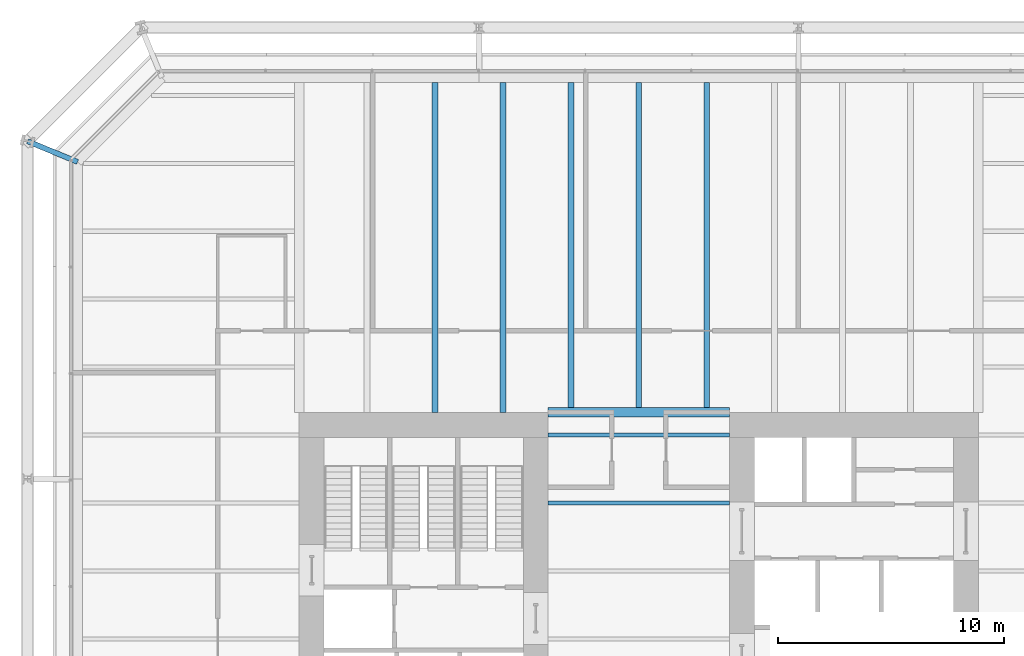
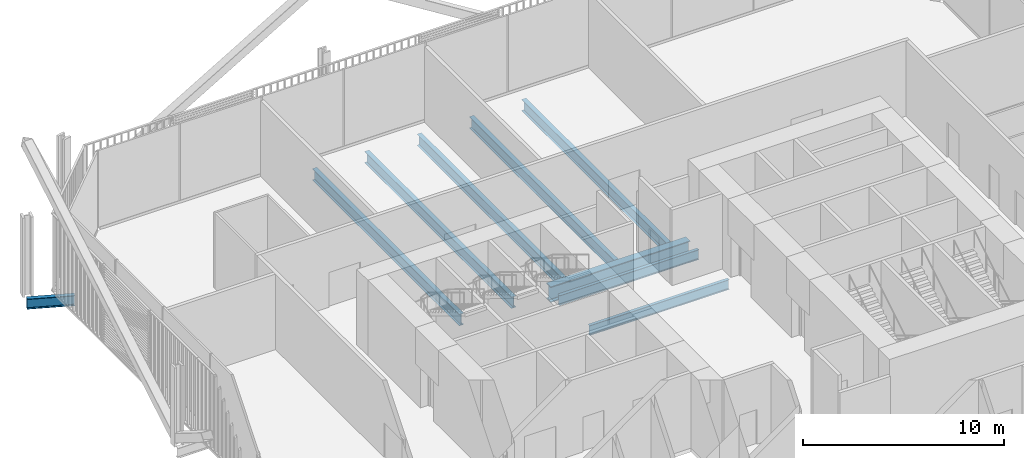
# One storey, part 13 of 22: 9 beams.
"""IFC4 building model written with IfcOpenShell, lengths in metres."""

import ifcopenshell
import ifcopenshell.guid

model = None  # the IFC model being written
_history = None  # IfcOwnerHistory: only IFC2X3 demands one
_inside = {}  # id of a spatial element -> (the spatial element, [elements in it])
_under = {}  # id of a project, library or spatial element -> (it, [spatial elements below it])
_declared = {}  # id of a project -> (the project, [libraries it declares])
_typed = {}  # id of a type object -> (the type object, [elements of that type])
_made_of = {}  # id of a material, layer set ... -> (it, [elements and type objects made of it])


def new_model(schema):
    """Start an empty IFC model of exactly this schema.

    Asked for "IFC4X3", IfcOpenShell would pick the latest addendum, in which some entities
    have other attributes; the version numbers below select the first issue.
    IFC2X3 requires an IfcOwnerHistory on every rooted entity: one is made here for all.
    """
    global model, _history
    if schema == "IFC4X3":
        model = ifcopenshell.file(schema_version=(4, 3, 0, 0))
    else:
        model = ifcopenshell.file(schema=schema)
    _inside.clear()
    _under.clear()
    _declared.clear()
    _typed.clear()
    _made_of.clear()
    _history = None
    if model.schema == "IFC2X3":
        org = make("IfcOrganization", Name="unknown")
        user = make(
            "IfcPersonAndOrganization",
            ThePerson=make("IfcPerson", FamilyName="unknown"),
            TheOrganization=org,
        )
        app = make(
            "IfcApplication",
            ApplicationDeveloper=org,
            Version="unknown",
            ApplicationFullName="unknown",
            ApplicationIdentifier="unknown",
        )
        _history = make(
            "IfcOwnerHistory",
            OwningUser=user,
            OwningApplication=app,
            ChangeAction="ADDED",
            CreationDate=0,
        )
    return model


def make(cls, **values):
    """One entity of the class cls with the attributes given. An attribute that is None is left unset."""
    return model.create_entity(
        cls, **{name: value for name, value in values.items() if value is not None}
    )


def rooted(cls, **values):
    """An entity with a GlobalId (a new one), such as an element, a storey or a relation."""
    return make(cls, GlobalId=ifcopenshell.guid.new(), OwnerHistory=_history, **values)


def si_unit(unit_type, name, prefix=None):
    """IfcSIUnit, for example si_unit("LENGTHUNIT", "METRE", prefix="MILLI")."""
    return make("IfcSIUnit", UnitType=unit_type, Prefix=prefix, Name=name)


def assignment(units):
    """IfcUnitAssignment: the units of a project."""
    return None if units is None else make("IfcUnitAssignment", Units=units)


def point(xyz):
    """IfcCartesianPoint."""
    return None if xyz is None else make("IfcCartesianPoint", Coordinates=xyz)


def direction(xyz):
    """IfcDirection."""
    return None if xyz is None else make("IfcDirection", DirectionRatios=xyz)


def frame(location, z_axis=None, x_axis=None):
    """IfcAxis2Placement3D, a coordinate frame: its origin and axes. An axis left out is left unset."""
    return make(
        "IfcAxis2Placement3D",
        Location=point(location),
        Axis=direction(z_axis),
        RefDirection=direction(x_axis),
    )


def frame_2d(location, x_axis=None):
    """IfcAxis2Placement2D, a coordinate frame in the plane: its origin and x axis."""
    return make(
        "IfcAxis2Placement2D", Location=point(location), RefDirection=direction(x_axis)
    )


def origin():
    """The frame at (0, 0, 0) with its axes left unset."""
    return frame((0.0, 0.0, 0.0))


def origin_2d():
    """The frame at (0, 0) in the plane with its x axis left unset."""
    return frame_2d((0.0, 0.0))


def place(relative_to, where):
    """IfcLocalPlacement: puts the frame where relative to a parent placement (None: the world)."""
    return make(
        "IfcLocalPlacement", PlacementRelTo=relative_to, RelativePlacement=where
    )


def context(
    kind, dimensions, precision=None, world=None, true_north=None, identifier=None
):
    """IfcGeometricRepresentationContext, for example the 3D "Model" context."""
    return make(
        "IfcGeometricRepresentationContext",
        ContextIdentifier=identifier,
        ContextType=kind,
        CoordinateSpaceDimension=dimensions,
        Precision=precision,
        WorldCoordinateSystem=world,
        TrueNorth=true_north,
    )


def subcontext(parent, identifier, kind, view, scale=None):
    """IfcGeometricRepresentationSubContext, for example "Body" below "Model"."""
    return make(
        "IfcGeometricRepresentationSubContext",
        ContextIdentifier=identifier,
        ContextType=kind,
        ParentContext=parent,
        TargetScale=scale,
        TargetView=view,
    )


def project(units=None, contexts=None):
    """IfcProject with its units and contexts."""
    return rooted(
        "IfcProject",
        Name="project",
        RepresentationContexts=contexts,
        UnitsInContext=assignment(units),
    )


def spatial(cls, under=None, at=None, **own):
    """A site, building, storey or space (cls), placed at a placement, below another one or the project."""
    s = rooted(cls, ObjectPlacement=at, **own)
    if under is not None:
        _under.setdefault(under.id(), (under, []))[1].append(s)
    return s


def profile(cls, at=None, kind="AREA", **sizes):
    """A parametric profile (cls). Its sizes go by their IFC names, for example OverallWidth=200.0."""
    return make(cls, ProfileType=kind, Position=at, **sizes)


def i_section(**sizes):
    """IfcIShapeProfileDef."""
    return profile("IfcIShapeProfileDef", **sizes)


def extrude(swept, where, along, depth):
    """IfcExtrudedAreaSolid: the profile swept, set in the frame where, extruded along a direction by depth."""
    return make(
        "IfcExtrudedAreaSolid",
        SweptArea=swept,
        Position=where,
        ExtrudedDirection=direction(along),
        Depth=depth,
    )


def shape(context_of_items, identifier, shape_type, items):
    """IfcShapeRepresentation: the items that make up one representation, for example the "Body"."""
    return make(
        "IfcShapeRepresentation",
        ContextOfItems=context_of_items,
        RepresentationIdentifier=identifier,
        RepresentationType=shape_type,
        Items=items,
    )


def material(Name=None, Category=None):
    """IfcMaterial."""
    return make("IfcMaterial", Name=Name, Category=Category)


def material_profile(
    of_material, cross_section, Name=None, Category=None, Priority=None
):
    """IfcMaterialProfile: a cross section and its material."""
    return make(
        "IfcMaterialProfile",
        Name=Name,
        Material=of_material,
        Profile=cross_section,
        Priority=Priority,
        Category=Category,
    )


def profile_set(profiles, Name=None, composite=None):
    """IfcMaterialProfileSet."""
    return make(
        "IfcMaterialProfileSet",
        Name=Name,
        MaterialProfiles=profiles,
        CompositeProfile=composite,
    )


def made_of(thing, what):
    """Note that an element or type object is made of a material, layer set ...; save() writes the relation."""
    if what is not None:
        _made_of.setdefault(what.id(), (what, []))[1].append(thing)
    return thing


def type_object(cls, material=None, **own):
    """A type object (cls), such as IfcWallType, which elements share."""
    return made_of(rooted(cls, **own), material)


def element(
    cls,
    number,
    at=None,
    inside=None,
    cuts=None,
    type_object=None,
    material=None,
    context=None,
    identifier="Body",
    shape_type=None,
    held_by="IfcProductDefinitionShape",
    body=None,
    shapes=None,
    **own,
):
    """One element of the class cls, such as IfcWall. Its Tag is "e" and its number.

    at: its placement. inside: the storey or other place that contains it. cuts: it is an
    opening in that element (IfcRelVoidsElement). A single representation is given by context,
    identifier, shape_type and body (its items); several are given by shapes. held_by: the class
    of the entity that holds the representations. save() writes the other relations.
    """
    e = rooted(cls, Tag="e%d" % number, ObjectPlacement=at, **own)
    if body is not None:
        shapes = [shape(context, identifier, shape_type, body)]
    if shapes is not None:
        e.Representation = make(held_by, Representations=shapes)
    if inside is not None:
        _inside.setdefault(inside.id(), (inside, []))[1].append(e)
    if cuts is not None:
        rooted(
            "IfcRelVoidsElement", RelatingBuildingElement=cuts, RelatedOpeningElement=e
        )
    if type_object is not None:
        _typed.setdefault(type_object.id(), (type_object, []))[1].append(e)
    return made_of(e, material)


def aggregate(whole, parts):
    """IfcRelAggregates: a whole, such as a stair, and the parts it consists of."""
    return rooted("IfcRelAggregates", RelatingObject=whole, RelatedObjects=parts)


def save(model, path):
    """Write the relations noted so far, then the file.

    IfcRelAggregates (storeys below a building ...), IfcRelContainedInSpatialStructure (elements
    in a storey), IfcRelDefinesByType, IfcRelAssociatesMaterial and IfcRelDeclares: one each for
    every whole, place, type object, material and project.
    """
    for whole, parts in _under.values():
        aggregate(whole, parts)
    for where, things in _inside.values():
        rooted(
            "IfcRelContainedInSpatialStructure",
            RelatedElements=things,
            RelatingStructure=where,
        )
    for kind, things in _typed.values():
        rooted("IfcRelDefinesByType", RelatedObjects=things, RelatingType=kind)
    for what, things in _made_of.values():
        rooted("IfcRelAssociatesMaterial", RelatedObjects=things, RelatingMaterial=what)
    for by, libraries in _declared.values():
        rooted("IfcRelDeclares", RelatingContext=by, RelatedDefinitions=libraries)
    model.write(path)


model = new_model("IFC4")

# Units and contexts
model_context = context("Model", 3, precision=1e-05, world=origin(), true_north=direction((0.0, 1.0)))
body_context = subcontext(model_context, "Body", "Model", "MODEL_VIEW")
ifc_project = project(units=[si_unit("LENGTHUNIT", "METRE"), si_unit("AREAUNIT", "SQUARE_METRE"), si_unit("VOLUMEUNIT", "CUBIC_METRE"), si_unit("PLANEANGLEUNIT", "RADIAN"), si_unit("MASSUNIT", "GRAM", prefix="KILO")], contexts=[model_context])

# Site, building, storey
site_placement = place(None, origin())
site = spatial("IfcSite", under=ifc_project, at=site_placement, CompositionType="ELEMENT")
building_placement = place(site_placement, origin())
building = spatial("IfcBuilding", under=site, at=building_placement, Name="Millrace Tower", CompositionType="ELEMENT")
storey_placement = place(building_placement, frame((0.0, 0.0, 35.300048828125)))
storey = spatial("IfcBuildingStorey", under=building, at=storey_placement, Name="L08", CompositionType="ELEMENT", Elevation=35.300048828125)

# Beams
ifc_material_1 = material(Name="Steel ASTM A992 Grade 50", Category="steel")
ifc_material_profile_1 = material_profile(ifc_material_1, i_section(OverallWidth=0.177978515625, OverallDepth=0.599365234375, WebThickness=0.010009765625, FlangeThickness=0.012939453125, FilletRadius=0.012939453125, at=origin_2d()))
ifc_profile_set_1 = profile_set([ifc_material_profile_1], Name="Steel ASTM A992 Grade 50")
beam_type_1 = type_object("IfcBeamType", Name="Floor beam W24x55", PredefinedType="JOIST", material=ifc_profile_set_1)
for number, where, z_axis, x_axis, name in (
    (1, (-4.0, 6.0, -0.524658203125), (1.0, 0.0, 0.0), (0.0, 1.0, 0.0), "BM-A-L08-S1-S026"),
    (2, (-4.0, 9.0, -0.524658203125), (1.0, 0.0, 0.0), (0.0, 1.0, 0.0), "BM-A-L08-S1-S029"),
):
    element("IfcBeam", number, at=place(storey_placement, frame(where, z_axis=z_axis, x_axis=x_axis)), inside=storey, type_object=beam_type_1, Name=name, PredefinedType="JOIST", context=body_context, shape_type="SweptSolid", body=[
        extrude(i_section(OverallWidth=0.177978515625, OverallDepth=0.599365234375, WebThickness=0.010009765625, FlangeThickness=0.012939453125, FilletRadius=0.012939453125, at=origin_2d()), origin(), (0.0, 0.0, 1.0), 8.0),
    ])
ifc_material_2 = material(Name="Steel ASTM A992 Grade 50", Category="steel")
ifc_material_profile_2 = material_profile(ifc_material_2, i_section(OverallWidth=0.256591796875, OverallDepth=0.693359375, WebThickness=0.014404296875, FlangeThickness=0.023681640625, FilletRadius=0.01513671875, at=origin_2d()))
ifc_profile_set_2 = profile_set([ifc_material_profile_2], Name="Steel ASTM A992 Grade 50")
beam_type_2 = type_object("IfcBeamType", Name="Floor beam W27x114", PredefinedType="JOIST", material=ifc_profile_set_2)
for number, where, z_axis, x_axis, name in (
    (3, (-9.0, 10.0, -0.57177734375), (0.0, 1.0, 0.0), (-1.0, 0.0, 0.0), "BM-A-L08-S1-S044"),
    (4, (-6.0, 10.0, -0.57177734375), (0.0, 1.0, 0.0), (-1.0, 0.0, 0.0), "BM-A-L08-S1-S046"),
):
    element("IfcBeam", number, at=place(storey_placement, frame(where, z_axis=z_axis, x_axis=x_axis)), inside=storey, type_object=beam_type_2, Name=name, PredefinedType="JOIST", context=body_context, shape_type="SweptSolid", body=[
        extrude(i_section(OverallWidth=0.256591796875, OverallDepth=0.693359375, WebThickness=0.014404296875, FlangeThickness=0.023681640625, FilletRadius=0.01513671875, at=origin_2d()), origin(), (0.0, 0.0, 1.0), 14.578369140625),
    ])
for number, where, z_axis, x_axis, name in (
    (5, (-3.0, 10.212158203125, -0.57177734375), (0.0, 1.0, 0.0), (-1.0, 0.0, 0.0), "BM-A-L08-S1-S048"),
    (6, (0.0, 10.212158203125, -0.57177734375), (0.0, 1.0, 0.0), (-1.0, 0.0, 0.0), "BM-A-L08-S1-S050"),
    (7, (3.0, 10.212158203125, -0.57177734375), (0.0, 1.0, 0.0), (-1.0, 0.0, 0.0), "BM-A-L08-S1-S052"),
):
    element("IfcBeam", number, at=place(storey_placement, frame(where, z_axis=z_axis, x_axis=x_axis)), inside=storey, type_object=beam_type_2, Name=name, PredefinedType="JOIST", context=body_context, shape_type="SweptSolid", body=[
        extrude(i_section(OverallWidth=0.256591796875, OverallDepth=0.693359375, WebThickness=0.014404296875, FlangeThickness=0.023681640625, FilletRadius=0.01513671875, at=origin_2d()), origin(), (0.0, 0.0, 1.0), 14.3662109375),
    ])
ifc_material_3 = material(Name="Steel ASTM A992 Grade 50", Category="steel")
ifc_material_profile_3 = material_profile(ifc_material_3, i_section(OverallWidth=0.424072265625, OverallDepth=0.947509765625, WebThickness=0.02392578125, FlangeThickness=0.042724609375, FilletRadius=0.024169921875, at=origin_2d()))
ifc_profile_set_3 = profile_set([ifc_material_profile_3], Name="Steel ASTM A992 Grade 50")
beam_type_3 = type_object("IfcBeamType", Name="Girder short span W36x302", PredefinedType="BEAM", material=ifc_profile_set_3)
beam_1_placement = place(storey_placement, frame((-4.0, 10.0, -0.69873046875), z_axis=(1.0, 0.0, 0.0), x_axis=(0.0, 1.0, 0.0)))
element("IfcBeam", 8, at=beam_1_placement, inside=storey, type_object=beam_type_3, Name="BM-A-L08-S1-G064", PredefinedType="BEAM", context=body_context, shape_type="SweptSolid", body=[
    extrude(i_section(OverallWidth=0.424072265625, OverallDepth=0.947509765625, WebThickness=0.02392578125, FlangeThickness=0.042724609375, FilletRadius=0.024169921875, at=origin_2d()), origin(), (0.0, 0.0, 1.0), 8.0),
])
ifc_material_4 = material(Name="Steel ASTM A992 Grade 50", Category="steel")
ifc_material_profile_4 = material_profile(ifc_material_4, i_section(OverallWidth=0.23046875, OverallDepth=0.6171875, WebThickness=0.01318359375, FlangeThickness=0.022216796875, FilletRadius=0.012939453125, at=origin_2d()))
ifc_profile_set_4 = profile_set([ifc_material_profile_4], Name="Steel ASTM A992 Grade 50")
beam_type_4 = type_object("IfcBeamType", Name="Link beam W24x94", PredefinedType="BEAM", material=ifc_profile_set_4)
beam_2_placement = place(storey_placement, frame((-24.7890625, 21.062744140625, -0.53369140625), z_axis=(-0.923883789366, 0.382673155247, 0.0), x_axis=(-0.382673155247, -0.923883789366, 0.0)))
element("IfcBeam", 9, at=beam_2_placement, inside=storey, type_object=beam_type_4, Name="LNK-A-L08-S1-04", PredefinedType="BEAM", context=body_context, shape_type="SweptSolid", body=[
    extrude(i_section(OverallWidth=0.23046875, OverallDepth=0.6171875, WebThickness=0.01318359375, FlangeThickness=0.022216796875, FilletRadius=0.012939453125, at=origin_2d()), origin(), (0.0, 0.0, 1.0), 2.39306640625),
])

save(model, "model.ifc")
